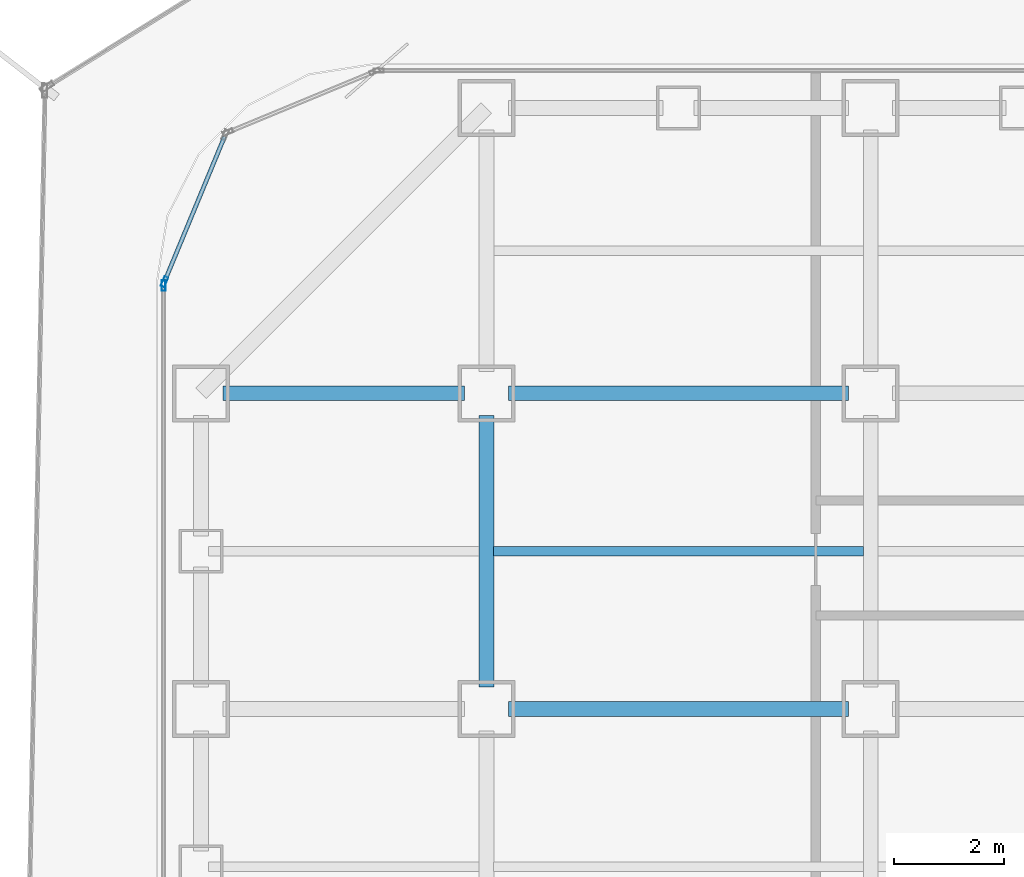
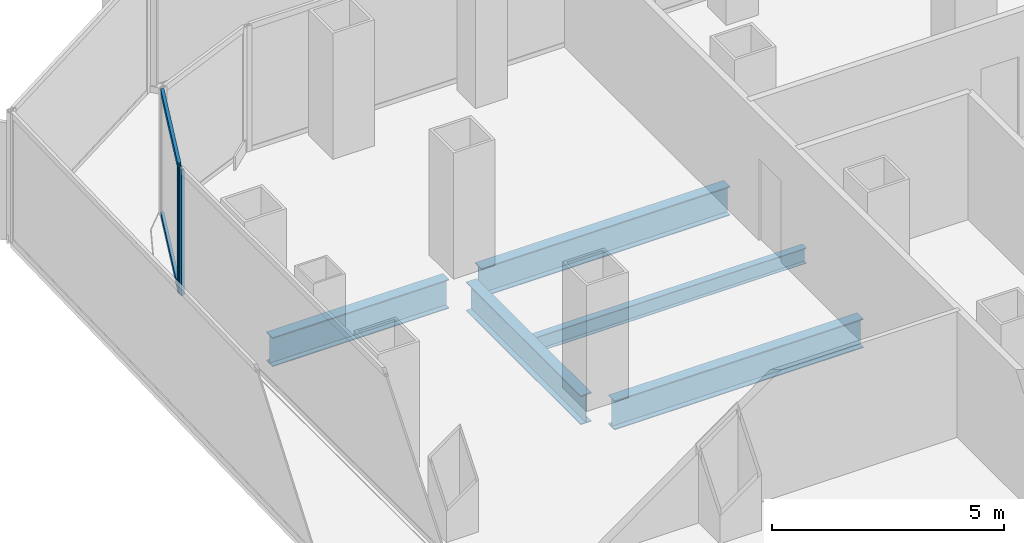
# One storey, part 10 of 21: 5 beams, 4 members, 2 elements without a shape of their own.
"""IFC4 building model written with IfcOpenShell, lengths in metres."""

from ifc_helpers import new_model, si_unit, direction, frame, origin, origin_2d, place, context, subcontext, project, spatial, hollow_rectangle, i_section, extrude, source, transform, mapped, material, layer, layer_set, material_profile, profile_set, type_object, element, aggregate, save


model = new_model("IFC4")

# Units and contexts
model_context = context("Model", 3, precision=1e-05, world=origin(), true_north=direction((0.0, 1.0)))
body_context = subcontext(model_context, "Body", "Model", "MODEL_VIEW")
ifc_project = project(units=[si_unit("LENGTHUNIT", "METRE"), si_unit("AREAUNIT", "SQUARE_METRE"), si_unit("VOLUMEUNIT", "CUBIC_METRE"), si_unit("PLANEANGLEUNIT", "RADIAN"), si_unit("MASSUNIT", "GRAM", prefix="KILO")], contexts=[model_context])

# Site, building, storey
site_placement = place(None, origin())
site = spatial("IfcSite", under=ifc_project, at=site_placement, CompositionType="ELEMENT")
building_placement = place(site_placement, origin())
building = spatial("IfcBuilding", under=site, at=building_placement, Name="Kolveth Station Tower", CompositionType="ELEMENT")
storey_placement = place(building_placement, frame((0.0, 0.0, 62.10009765625)))
storey = spatial("IfcBuildingStorey", under=building, at=storey_placement, Name="L16", CompositionType="ELEMENT", Elevation=62.10009765625)

# Beams
ifc_material_1 = material(Name="Steel S355", Category="steel")
ifc_material_profile_1 = material_profile(ifc_material_1, i_section(OverallWidth=0.26708984375, OverallDepth=0.76611328125, WebThickness=0.014892578125, FlangeThickness=0.023681640625, at=origin_2d()), Name="W760x185")
ifc_profile_set_1 = profile_set([ifc_material_profile_1], Name="Steel S355")
beam_type_1 = type_object("IfcBeamType", Name="Beam_B3", PredefinedType="BEAM", material=ifc_profile_set_1)
shared_shape_1 = source(origin(), body_context, "Body", "SweptSolid", [
    extrude(i_section(OverallWidth=0.26708984375, OverallDepth=0.76611328125, WebThickness=0.014892578125, FlangeThickness=0.023681640625, at=origin_2d()), origin(), (0.0, 0.0, 1.0), 4.400146484375),
])
beam_1_placement = place(storey_placement, frame((1.199951171875, 34.5, -0.6630859375), z_axis=(1.0, 0.0, 0.0), x_axis=(0.0, 1.0, 0.0)))
element("IfcBeam", 1, at=beam_1_placement, inside=storey, type_object=beam_type_1, Name="L16 Primary Girder BM-L16-GY345-1", PredefinedType="BEAM", context=body_context, shape_type="MappedRepresentation", body=[
    mapped(shared_shape_1, transform((0.0, 0.0, 0.0), x_axis=(1.0, 0.0, 0.0), y_axis=(0.0, 1.0, 0.0), z_axis=(0.0, 0.0, 1.0), scale=1.0)),
])
shared_shape_2 = source(origin(), body_context, "Body", "SweptSolid", [
    extrude(i_section(OverallWidth=0.26708984375, OverallDepth=0.76611328125, WebThickness=0.014892578125, FlangeThickness=0.023681640625, at=origin_2d()), origin(), (0.0, 0.0, 1.0), 6.2001953125),
])
for number, where, z_axis, x_axis, name in (
    (2, (6.39990234375, 28.75, -0.6630859375), (1.0, 0.0, 0.0), (0.0, 1.0, 0.0), "L16 Primary Girder BM-L16-GY287-2"),
    (3, (6.39990234375, 34.5, -0.6630859375), (1.0, 0.0, 0.0), (0.0, 1.0, 0.0), "L16 Primary Girder BM-L16-GY345-2"),
):
    element("IfcBeam", number, at=place(storey_placement, frame(where, z_axis=z_axis, x_axis=x_axis)), inside=storey, type_object=beam_type_1, Name=name, PredefinedType="BEAM", context=body_context, shape_type="MappedRepresentation", body=[
        mapped(shared_shape_2, transform((0.0, 0.0, 0.0), x_axis=(1.0, 0.0, 0.0), y_axis=(0.0, 1.0, 0.0), z_axis=(0.0, 0.0, 1.0), scale=1.0)),
    ])
shared_shape_3 = source(origin(), body_context, "Body", "SweptSolid", [
    extrude(i_section(OverallWidth=0.26708984375, OverallDepth=0.76611328125, WebThickness=0.014892578125, FlangeThickness=0.023681640625, at=origin_2d()), origin(), (0.0, 0.0, 1.0), 4.9501953125),
])
beam_2_placement = place(storey_placement, frame((6.0, 29.14990234375, -0.6630859375), z_axis=(0.0, 1.0, 0.0), x_axis=(-1.0, 0.0, 0.0)))
element("IfcBeam", 4, at=beam_2_placement, inside=storey, type_object=beam_type_1, Name="L16 Primary Girder BM-L16-GX60-6", PredefinedType="BEAM", context=body_context, shape_type="MappedRepresentation", body=[
    mapped(shared_shape_3, transform((0.0, 0.0, 0.0), x_axis=(1.0, 0.0, 0.0), y_axis=(0.0, 1.0, 0.0), z_axis=(0.0, 0.0, 1.0), scale=1.0)),
])
ifc_material_profile_2 = material_profile(ifc_material_1, i_section(OverallWidth=0.177978515625, OverallDepth=0.406982421875, WebThickness=0.0078125, FlangeThickness=0.0126953125, at=origin_2d()), Name="W410x60")
ifc_profile_set_2 = profile_set([ifc_material_profile_2], Name="Steel S355")
beam_type_2 = type_object("IfcBeamType", Name="Beam_J1", PredefinedType="JOIST", material=ifc_profile_set_2)
shared_shape_4 = source(origin(), body_context, "Body", "SweptSolid", [
    extrude(i_section(OverallWidth=0.177978515625, OverallDepth=0.406982421875, WebThickness=0.0078125, FlangeThickness=0.0126953125, at=origin_2d()), origin(), (0.0, 0.0, 1.0), 6.73681640625),
])
beam_3_placement = place(storey_placement, frame((6.131591796875, 31.625, -0.483642578125), z_axis=(1.0, 0.0, 0.0), x_axis=(0.0, 1.0, 0.0)))
element("IfcBeam", 5, at=beam_3_placement, inside=storey, type_object=beam_type_2, Name="L16 Secondary Joist JST-L16-2-6", PredefinedType="JOIST", context=body_context, shape_type="MappedRepresentation", body=[
    mapped(shared_shape_4, transform((0.0, 0.0, 0.0), x_axis=(1.0, 0.0, 0.0), y_axis=(0.0, 1.0, 0.0), z_axis=(0.0, 0.0, 1.0), scale=1.0)),
])

# Curtain wall, members
ifc_material_2 = material(Name="Aluminium 6063-T6 and low-E dark glass", Category="aluminium")
ifc_layer = layer(ifc_material_2, 0.179931640625)
ifc_layer_set = layer_set([ifc_layer], Name="Aluminium 6063-T6 and low-E dark glass")
curtain_wall_type = type_object("IfcCurtainWallType", Name="CurtainWall_CW-Z1", PredefinedType="NOTDEFINED", material=ifc_layer_set)
curtain_wall_1_placement = place(storey_placement, origin())
curtain_wall_1 = element("IfcCurtainWall", 6, at=curtain_wall_1_placement, inside=storey, type_object=curtain_wall_type, Name="L16 Inner Thermal Curtain Wall 8", PredefinedType="NOTDEFINED")
ifc_material_3 = material(Name="Black anodized aluminium 6063-T6", Category="aluminium")
ifc_material_profile_3 = material_profile(ifc_material_3, hollow_rectangle(XDim=0.074951171875, YDim=0.159912109375, WallThickness=0.0048828125, at=origin_2d()), Name="ALU-75x160x5")
ifc_profile_set_3 = profile_set([ifc_material_profile_3], Name="Black anodized aluminium 6063-T6")
member_type_1 = type_object("IfcMemberType", Name="Transom_TR1", PredefinedType="USERDEFINED", material=ifc_profile_set_3)
shared_shape_5 = source(origin(), body_context, "Body", "SweptSolid", [
    extrude(hollow_rectangle(XDim=0.074951171875, YDim=0.159912109375, WallThickness=0.0048828125, at=origin_2d()), origin(), (0.0, 0.0, 1.0), 2.819580078125),
])
member_1_placement = place(storey_placement, frame((1.227783203125, 39.17431640625, 0.037353515625), z_axis=(-0.382708655389, -0.923869084389, 0.0), x_axis=(0.923869084389, -0.382708655389, 0.0)))
member_1 = element("IfcMember", 7, at=member_1_placement, type_object=member_type_1, Name="CW-Z1 transom 1.1", ObjectType="TRANSOM", PredefinedType="USERDEFINED", context=body_context, shape_type="MappedRepresentation", body=[
    mapped(shared_shape_5, transform((0.0, 0.0, 0.0), x_axis=(1.0, 0.0, 0.0), y_axis=(0.0, 1.0, 0.0), z_axis=(0.0, 0.0, 1.0), scale=1.0)),
])
member_2_placement = place(storey_placement, frame((1.227783203125, 39.17431640625, 3.282470703125), z_axis=(-0.382708655389, -0.923869084389, 0.0), x_axis=(0.923869084389, -0.382708655389, 0.0)))
member_2 = element("IfcMember", 8, at=member_2_placement, type_object=member_type_1, Name="CW-Z1 transom 1.2", ObjectType="TRANSOM", PredefinedType="USERDEFINED", context=body_context, shape_type="MappedRepresentation", body=[
    mapped(shared_shape_5, transform((0.0, 0.0, 0.0), x_axis=(1.0, 0.0, 0.0), y_axis=(0.0, 1.0, 0.0), z_axis=(0.0, 0.0, 1.0), scale=1.0)),
])
ifc_material_profile_4 = material_profile(ifc_material_3, hollow_rectangle(XDim=0.074951171875, YDim=0.18994140625, WallThickness=0.0048828125, at=origin_2d()), Name="ALU-75x190x5")
ifc_profile_set_4 = profile_set([ifc_material_profile_4], Name="Black anodized aluminium 6063-T6")
member_type_2 = type_object("IfcMemberType", Name="Mullion_ML1", PredefinedType="MULLION", material=ifc_profile_set_4)
shared_shape_6 = source(origin(), body_context, "Body", "SweptSolid", [
    extrude(hollow_rectangle(XDim=0.074951171875, YDim=0.18994140625, WallThickness=0.0048828125, at=origin_2d()), origin(), (0.0, 0.0, 1.0), 3.31982421875),
])
member_3_placement = place(storey_placement, frame((0.13427734375, 36.53466796875, 0.0), z_axis=(0.0, 0.0, 1.0), x_axis=(0.923883857728, -0.382672990201, 0.0)))
member_3 = element("IfcMember", 9, at=member_3_placement, type_object=member_type_2, Name="CW-Z1 mullion 2", PredefinedType="MULLION", context=body_context, shape_type="MappedRepresentation", body=[
    mapped(shared_shape_6, transform((0.0, 0.0, 0.0), x_axis=(1.0, 0.0, 0.0), y_axis=(0.0, 1.0, 0.0), z_axis=(0.0, 0.0, 1.0), scale=1.0)),
])
aggregate(curtain_wall_1, [member_3, member_1, member_2])

# Curtain wall, member
curtain_wall_2_placement = place(storey_placement, origin())
curtain_wall_2 = element("IfcCurtainWall", 10, at=curtain_wall_2_placement, inside=storey, type_object=curtain_wall_type, Name="L16 Inner Thermal Curtain Wall 9", PredefinedType="NOTDEFINED")
member_4_placement = place(storey_placement, frame((0.1201171875, 36.46240234375, 0.0), z_axis=(0.0, 0.0, 1.0), x_axis=(1.0, 0.0, 0.0)))
member_4 = element("IfcMember", 11, at=member_4_placement, type_object=member_type_2, Name="CW-Z1 mullion 1", PredefinedType="MULLION", context=body_context, shape_type="MappedRepresentation", body=[
    mapped(shared_shape_6, transform((0.0, 0.0, 0.0), x_axis=(1.0, 0.0, 0.0), y_axis=(0.0, 1.0, 0.0), z_axis=(0.0, 0.0, 1.0), scale=1.0)),
])
aggregate(curtain_wall_2, [member_4])

save(model, "model.ifc")
